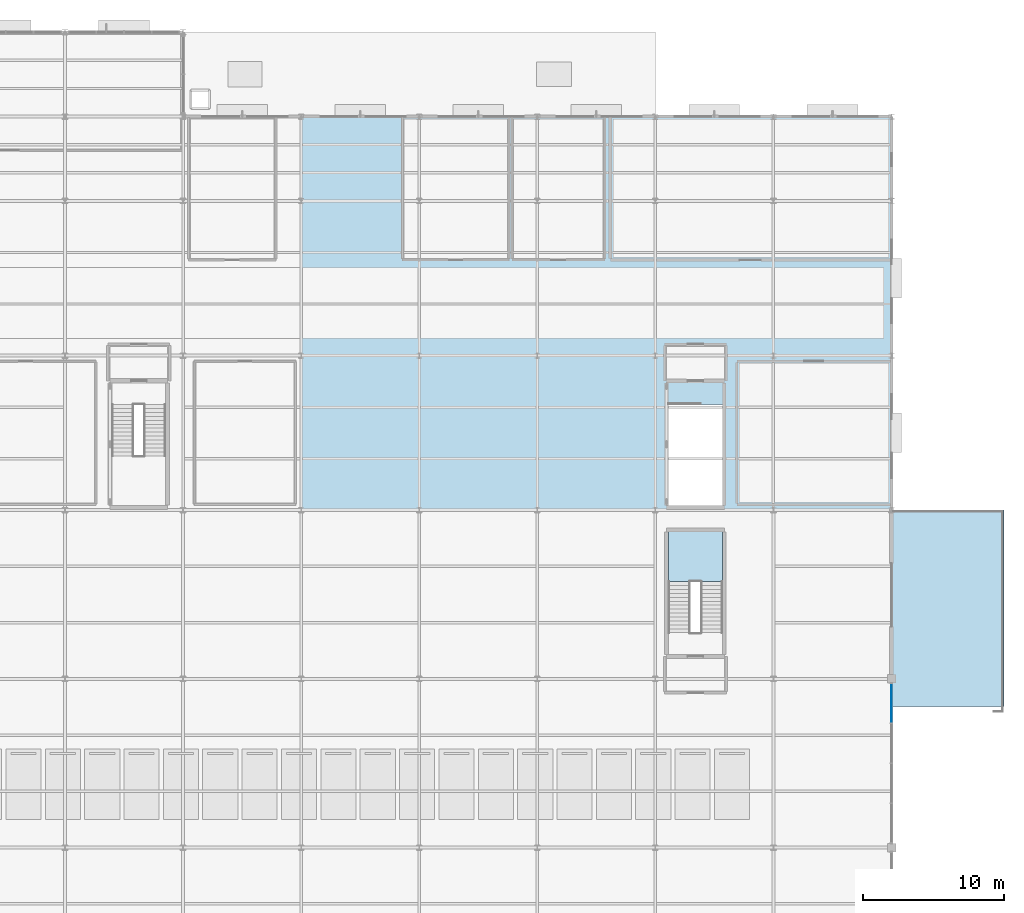
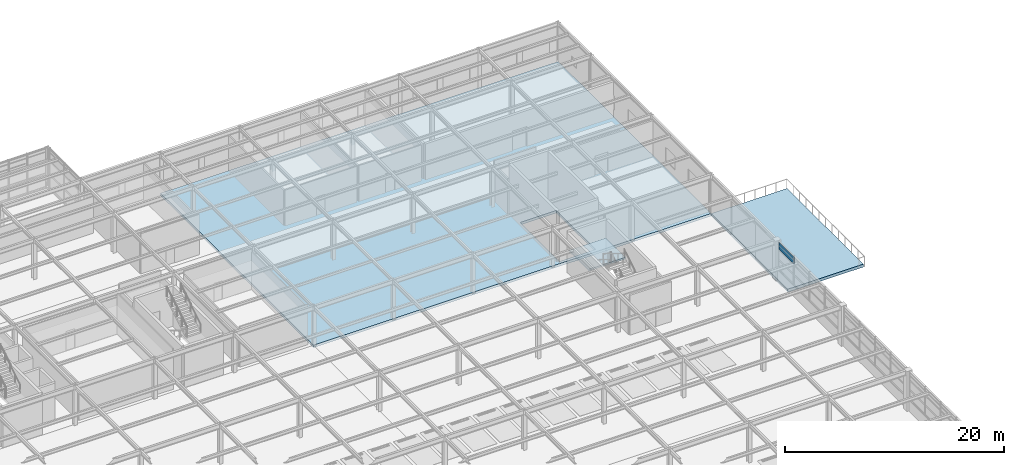
# One storey, part 54 of 82: 3 slabs, 1 plate, 2 elements without a shape of their own.
"""IFC4 building model written with IfcOpenShell, lengths in metres."""

from ifc_helpers import new_model, si_unit, direction, frame, origin, origin_2d, place, context, subcontext, project, spatial, polyline, rectangle, outline, extrude, material, layer, layer_set, type_object, element, aggregate, save


model = new_model("IFC4")

# Units and contexts
model_context = context("Model", 3, precision=1e-05, world=origin(), true_north=direction((0.0, 1.0)))
body_context = subcontext(model_context, "Body", "Model", "MODEL_VIEW")
ifc_project = project(units=[si_unit("LENGTHUNIT", "METRE"), si_unit("AREAUNIT", "SQUARE_METRE"), si_unit("VOLUMEUNIT", "CUBIC_METRE"), si_unit("PLANEANGLEUNIT", "RADIAN"), si_unit("MASSUNIT", "GRAM", prefix="KILO")], contexts=[model_context])

# Site, building, storey
site_placement = place(None, origin())
site = spatial("IfcSite", under=ifc_project, at=site_placement, CompositionType="ELEMENT")
building_placement = place(site_placement, origin())
building = spatial("IfcBuilding", under=site, at=building_placement, Name="Sitalva Quay Ferry Terminal", CompositionType="ELEMENT")
storey_placement = place(building_placement, frame((0.0, 0.0, 5.39990234375)))
storey = spatial("IfcBuildingStorey", under=building, at=storey_placement, Name="L02", CompositionType="ELEMENT", Elevation=5.39990234375)

# Curtain wall, plate
ifc_material_1 = material(Name="Anodised Aluminium & Low-E Glazing", Category="aluminium")
ifc_layer_1 = layer(ifc_material_1, 0.159912109375)
ifc_layer_set_1 = layer_set([ifc_layer_1], Name="Anodised Aluminium & Low-E Glazing")
curtain_wall_type = type_object("IfcCurtainWallType", Name="CW_Coastal_Louvred", PredefinedType="USERDEFINED", material=ifc_layer_set_1)
curtain_wall_placement = place(storey_placement, origin())
curtain_wall = element("IfcCurtainWall", 1, at=curtain_wall_placement, inside=storey, type_object=curtain_wall_type, Name="L02 vehicle deck east ventilation screen (CW-L02-099)", ObjectType="CURTAIN_WALL", PredefinedType="USERDEFINED")
ifc_material_2 = material(Name="Insulated Spandrel Cassette", Category="aluminium")
ifc_layer_2 = layer(ifc_material_2, 0.0400390625)
ifc_layer_set_2 = layer_set([ifc_layer_2], Name="Insulated Spandrel Cassette")
plate_type = type_object("IfcPlateType", Name="Panel_Spandrel_Alu_40", PredefinedType="CURTAIN_PANEL", material=ifc_layer_set_2)
plate_placement = place(storey_placement, frame((168.0, 64.260009765625, 3.5166015625), z_axis=(0.0, 0.0, 1.0), x_axis=(0.0, 1.0, 0.0)))
plate = element("IfcPlate", 2, at=plate_placement, type_object=plate_type, Name="CW-L02-099-P3-2", PredefinedType="CURTAIN_PANEL", context=body_context, shape_type="SweptSolid", body=[
    extrude(rectangle(XDim=2.760009765625, YDim=0.0400390625, at=origin_2d()), origin(), (0.0, 0.0, 1.0), 0.783447265625),
])
aggregate(curtain_wall, [plate])

# Slab
ifc_material_3 = material(Name="Concrete C35/45", Category="concrete")
ifc_layer_3 = layer(ifc_material_3, 0.280029296875)
ifc_layer_set_3 = layer_set([ifc_layer_3], Name="Concrete C35/45")
slab_type_1 = type_object("IfcSlabType", Name="Slab_Concourse_280", PredefinedType="FLOOR", material=ifc_layer_set_3)
slab_1_placement = place(storey_placement, frame((0.0, 0.0, -0.27978515625)))
element("IfcSlab", 3, at=slab_1_placement, inside=storey, type_object=slab_type_1, Name="L02 North wing L02 far-east 047", PredefinedType="FLOOR", context=body_context, shape_type="SweptSolid", body=[
    extrude(outline(polyline([(126.0, 78.0), (168.0, 78.0), (168.0, 106.0), (126.0, 106.0), (126.0, 78.0)]), holes=[polyline([(152.139892578125, 78.340087890625), (152.139892578125, 85.5), (155.9599609375, 85.5), (155.9599609375, 78.340087890625), (152.139892578125, 78.340087890625)])]), origin(), (0.0, 0.0, 1.0), 0.27978515625),
])

# Stair, slab
ifc_material_4 = material(Name="Concrete C35/45", Category="concrete")
stair_type = type_object("IfcStairType", Name="Stair_CoreDogLeg_1400", PredefinedType="HALF_TURN_STAIR", material=ifc_material_4)
stair_placement = place(storey_placement, origin())
stair = element("IfcStair", 4, at=stair_placement, inside=storey, type_object=stair_type, Name="L02 Core C9 stair ST-09", PredefinedType="HALF_TURN_STAIR")
ifc_material_5 = material(Name="Concrete C35/45", Category="concrete")
ifc_layer_4 = layer(ifc_material_5, 0.199951171875)
ifc_layer_set_4 = layer_set([ifc_layer_4], Name="Concrete C35/45")
slab_type_2 = type_object("IfcSlabType", Name="Slab_StairLanding_200", PredefinedType="LANDING", material=ifc_layer_set_4)
slab_2_placement = place(storey_placement, frame((0.0, 0.0, 2.2001953125)))
slab_2 = element("IfcSlab", 5, at=slab_2_placement, type_object=slab_type_2, Name="ST-09 landing 1", PredefinedType="LANDING", context=body_context, shape_type="SweptSolid", body=[
    extrude(outline(polyline([(155.97998046875, 72.919921875), (155.97998046875, 76.47998046875), (152.1201171875, 76.47998046875), (152.1201171875, 72.919921875), (155.97998046875, 72.919921875)])), origin(), (0.0, 0.0, 1.0), 0.199951171875),
])
aggregate(stair, [slab_2])

# Slab
ifc_material_6 = material(Name="Concrete C35/45", Category="concrete")
ifc_layer_5 = layer(ifc_material_6, 0.320068359375)
ifc_layer_set_5 = layer_set([ifc_layer_5], Name="Concrete C35/45")
slab_type_3 = type_object("IfcSlabType", Name="Slab_VehicleDeck_320", PredefinedType="FLOOR", material=ifc_layer_set_5)
slab_3_placement = place(storey_placement, frame((0.0, 0.0, -0.31982421875)))
element("IfcSlab", 6, at=slab_3_placement, inside=storey, type_object=slab_type_3, Name="L02 Exterior vehicle ramp upper turning deck 043", PredefinedType="FLOOR", context=body_context, shape_type="SweptSolid", body=[
    extrude(outline(polyline([(168.0, 64.050048828125), (176.0, 64.050048828125), (176.0, 78.0), (168.0, 78.0), (168.0, 64.050048828125)])), origin(), (0.0, 0.0, 1.0), 0.31982421875),
])

save(model, "model.ifc")
